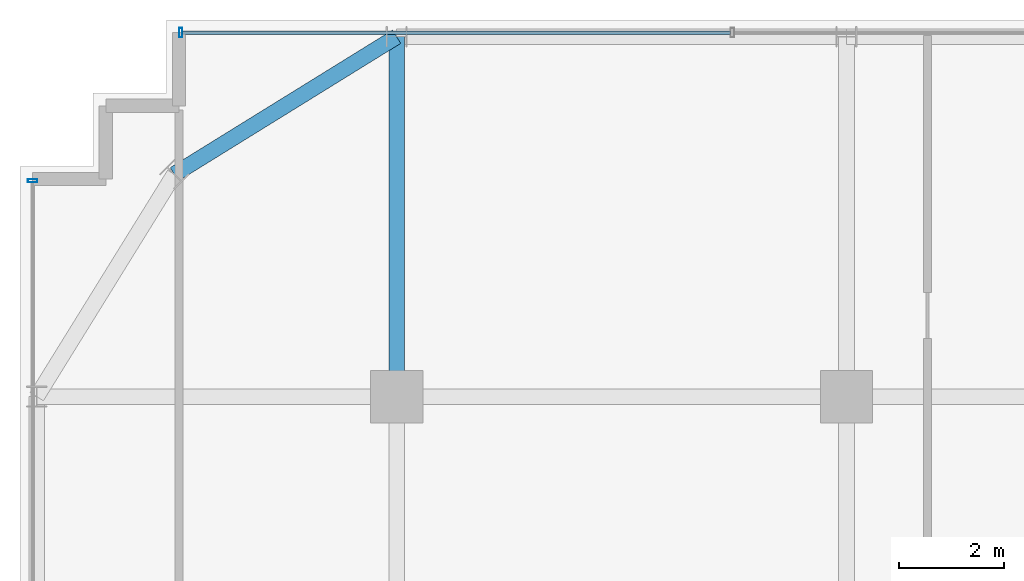
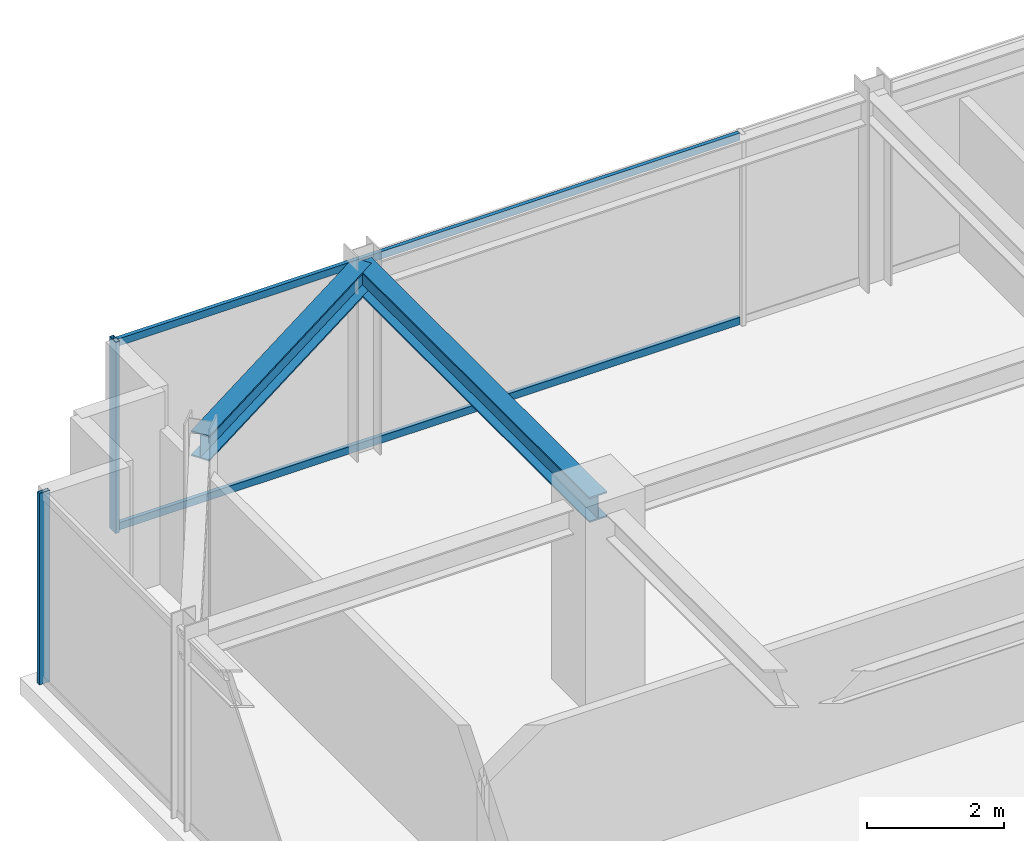
# One storey, part 20 of 36: 4 members, 2 beams, 2 elements without a shape of their own.
"""IFC4 building model written with IfcOpenShell, lengths in metres."""

from ifc_helpers import new_model, si_unit, direction, frame, origin, origin_2d, place, context, subcontext, project, spatial, hollow_rectangle, i_section, extrude, source, transform, mapped, material, material_profile, profile_set, type_object, element, aggregate, save


model = new_model("IFC4")

# Units and contexts
model_context = context("Model", 3, precision=1e-05, world=origin(), true_north=direction((0.0, 1.0)))
body_context = subcontext(model_context, "Body", "Model", "MODEL_VIEW")
ifc_project = project(units=[si_unit("LENGTHUNIT", "METRE"), si_unit("AREAUNIT", "SQUARE_METRE"), si_unit("VOLUMEUNIT", "CUBIC_METRE"), si_unit("PLANEANGLEUNIT", "RADIAN"), si_unit("MASSUNIT", "GRAM", prefix="KILO")], contexts=[model_context])

# Site, building, storey
site_placement = place(None, origin())
site = spatial("IfcSite", under=ifc_project, at=site_placement, CompositionType="ELEMENT")
building_placement = place(site_placement, origin())
building = spatial("IfcBuilding", under=site, at=building_placement, Name="Nahalor Promenade Grand Hotel", CompositionType="ELEMENT")
storey_placement = place(building_placement, frame((0.0, 0.0, 223.39990234375)))
storey = spatial("IfcBuildingStorey", under=building, at=storey_placement, Name="L57", CompositionType="ELEMENT", Elevation=223.39990234375)

# Beams
ifc_material_1 = material(Name="Steel S355JR", Category="steel")
ifc_material_profile_1 = material_profile(ifc_material_1, i_section(OverallWidth=0.3, OverallDepth=0.45, WebThickness=0.014, FlangeThickness=0.026, at=origin_2d()), Name="HEB 450")
ifc_profile_set_1 = profile_set([ifc_material_profile_1], Name="Steel S355JR")
beam_type_1 = type_object("IfcBeamType", Name="Beam-Spandrel-HEB450", PredefinedType="SPANDREL", material=ifc_profile_set_1)
shared_shape_1 = source(origin(), body_context, "Body", "SweptSolid", [
    extrude(i_section(OverallWidth=0.3, OverallDepth=0.45, WebThickness=0.014, FlangeThickness=0.026, at=origin_2d()), origin(), (0.0, 0.0, 1.0), 4.997802734375),
])
beam_1_placement = place(storey_placement, frame((-17.0, 23.8798828125, 3.18505859375), z_axis=(-0.850360908404, -0.526199891161, 0.0), x_axis=(0.526199891161, -0.850360908404, 0.0)))
element("IfcBeam", 1, at=beam_1_placement, inside=storey, type_object=beam_type_1, Name="BM-L57-SPC-NW-1", PredefinedType="SPANDREL", context=body_context, shape_type="MappedRepresentation", body=[
    mapped(shared_shape_1, transform((0.0, 0.0, 0.0), scale=1.0)),
])
ifc_material_profile_2 = material_profile(ifc_material_1, i_section(OverallWidth=0.3, OverallDepth=0.45, WebThickness=0.014, FlangeThickness=0.026, at=origin_2d()), Name="HEB 450")
ifc_profile_set_2 = profile_set([ifc_material_profile_2], Name="Steel S355JR")
beam_type_2 = type_object("IfcBeamType", Name="Beam-Girder-HEB450", PredefinedType="BEAM", material=ifc_profile_set_2)
shared_shape_2 = source(origin(), body_context, "Body", "SweptSolid", [
    extrude(i_section(OverallWidth=0.3, OverallDepth=0.45, WebThickness=0.014, FlangeThickness=0.026, at=origin_2d()), origin(), (0.0, 0.0, 1.0), 6.8798828125),
])
beam_2_placement = place(storey_placement, frame((-17.0, 17.0, 3.18505859375), z_axis=(0.0, 1.0, 0.0), x_axis=(-1.0, 0.0, 0.0)))
element("IfcBeam", 2, at=beam_2_placement, inside=storey, type_object=beam_type_2, Name="BM-L57-GY-0-4", PredefinedType="BEAM", context=body_context, shape_type="MappedRepresentation", body=[
    mapped(shared_shape_2, transform((0.0, 0.0, 0.0), scale=1.0)),
])

# Curtain wall, member
ifc_material_2 = material(Name="Anodised Bronze Aluminium EN AW-6063 T6", Category="aluminium")
curtain_wall_type = type_object("IfcCurtainWallType", Name="CW2 Typical Hotel Flush Bronze Unitised Curtain Wall", PredefinedType="USERDEFINED", material=ifc_material_2)
curtain_wall_1_placement = place(storey_placement, origin())
curtain_wall_1 = element("IfcCurtainWall", 3, at=curtain_wall_1_placement, inside=storey, type_object=curtain_wall_type, Name="L57 Curtain Wall CW-L57-N-1", ObjectType="UNITISED_CURTAIN_WALL", PredefinedType="USERDEFINED")
ifc_material_profile_3 = material_profile(ifc_material_2, hollow_rectangle(XDim=0.065, YDim=0.18, WallThickness=0.004, at=origin_2d()), Name="CWM 65x180x4")
ifc_profile_set_3 = profile_set([ifc_material_profile_3], Name="Anodised Bronze Aluminium EN AW-6063 T6")
member_type_1 = type_object("IfcMemberType", Name="CWM2 Typical Bronze Mullion 65x180", PredefinedType="MULLION", material=ifc_profile_set_3)
shared_shape_3 = source(origin(), body_context, "Body", "SweptSolid", [
    extrude(hollow_rectangle(XDim=0.065, YDim=0.18, WallThickness=0.004, at=origin_2d()), origin(), (0.0, 0.0, 1.0), 3.41015625),
])
member_1_placement = place(storey_placement, frame((-21.12744140625, 23.9599609375, 0.0), z_axis=(0.0, 0.0, 1.0), x_axis=(1.0, 0.0, 0.0)))
member_1 = element("IfcMember", 4, at=member_1_placement, type_object=member_type_1, Name="CW-L57-N-1 Mullion 0", PredefinedType="MULLION", context=body_context, shape_type="MappedRepresentation", body=[
    mapped(shared_shape_3, transform((0.0, 0.0, 0.0), scale=1.0)),
])

curtain_wall_2_placement = place(storey_placement, origin())
curtain_wall_2 = element("IfcCurtainWall", 5, at=curtain_wall_2_placement, inside=storey, type_object=curtain_wall_type, Name="L57 Curtain Wall CW-L57-W-1", ObjectType="UNITISED_CURTAIN_WALL", PredefinedType="USERDEFINED")
member_2_placement = place(storey_placement, frame((-23.9599609375, 21.12744140625, 0.0), z_axis=(0.0, 0.0, 1.0), x_axis=(0.0, 1.0, 0.0)))
member_2 = element("IfcMember", 6, at=member_2_placement, type_object=member_type_1, Name="CW-L57-W-1 Mullion 4", PredefinedType="MULLION", context=body_context, shape_type="MappedRepresentation", body=[
    mapped(shared_shape_3, transform((0.0, 0.0, 0.0), scale=1.0)),
])
aggregate(curtain_wall_2, [member_2])

# Member
ifc_material_profile_4 = material_profile(ifc_material_2, hollow_rectangle(XDim=0.065, YDim=0.13, WallThickness=0.004, at=origin_2d()), Name="CWT 65x130x4")
ifc_profile_set_4 = profile_set([ifc_material_profile_4], Name="Anodised Bronze Aluminium EN AW-6063 T6")
member_type_2 = type_object("IfcMemberType", Name="CWT2 Typical Bronze Transom 65x130", PredefinedType="USERDEFINED", material=ifc_profile_set_4)
shared_shape_4 = source(origin(), body_context, "Body", "SweptSolid", [
    extrude(hollow_rectangle(XDim=0.065, YDim=0.13, WallThickness=0.004, at=origin_2d()), origin(), (0.0, 0.0, 1.0), 10.482421875),
])
member_3_placement = place(storey_placement, frame((-21.094970703125, 23.9599609375, 0.065185546875), z_axis=(1.0, 0.0, 0.0), x_axis=(0.0, 1.0, 0.0)))
member_3 = element("IfcMember", 7, at=member_3_placement, type_object=member_type_2, Name="CW-L57-N-1 Transom 0-0", ObjectType="TRANSOM", PredefinedType="USERDEFINED", context=body_context, shape_type="MappedRepresentation", body=[
    mapped(shared_shape_4, transform((0.0, 0.0, 0.0), scale=1.0)),
])

member_4_placement = place(storey_placement, frame((-21.094970703125, 23.9599609375, 3.34521484375), z_axis=(1.0, 0.0, 0.0), x_axis=(0.0, 1.0, 0.0)))
member_4 = element("IfcMember", 8, at=member_4_placement, type_object=member_type_2, Name="CW-L57-N-1 Transom 0-1", ObjectType="TRANSOM", PredefinedType="USERDEFINED", context=body_context, shape_type="MappedRepresentation", body=[
    mapped(shared_shape_4, transform((0.0, 0.0, 0.0), scale=1.0)),
])

aggregate(curtain_wall_1, [member_1, member_3, member_4])

save(model, "model.ifc")
